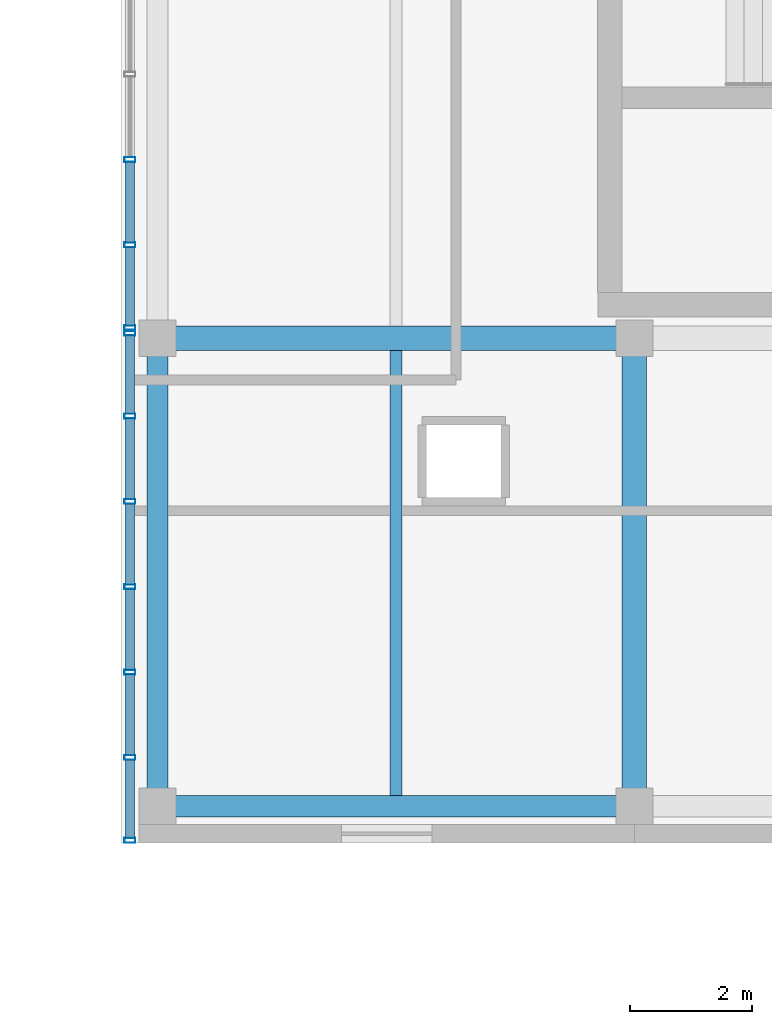
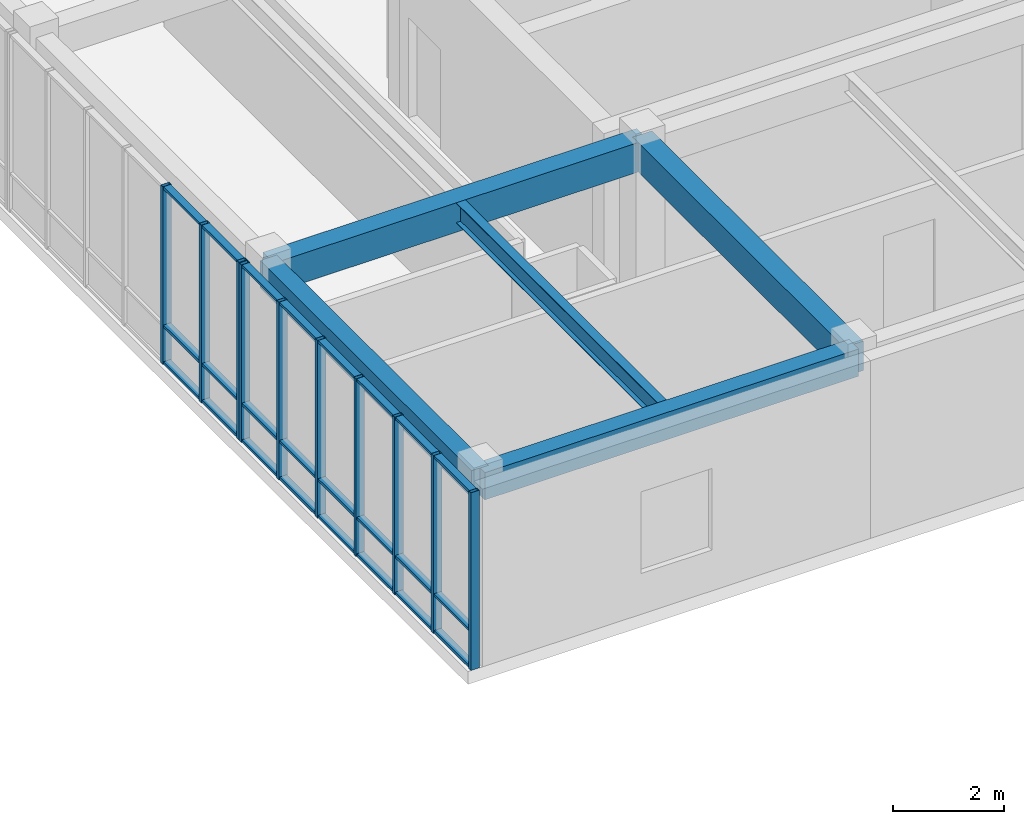
# One storey, part 27 of 123: 34 members, 5 beams, 2 elements without a shape of their own.
"""IFC4 building model written with IfcOpenShell, lengths in metres."""

from ifc_helpers import new_model, si_unit, direction, frame, origin, origin_2d, place, context, subcontext, project, spatial, rectangle, hollow_rectangle, i_section, extrude, material, layer, layer_set, material_profile, profile_set, type_object, element, aggregate, save


model = new_model("IFC4")

# Units and contexts
model_context = context("Model", 3, precision=1e-05, world=origin(), true_north=direction((0.0, 1.0)))
body_context = subcontext(model_context, "Body", "Model", "MODEL_VIEW")
ifc_project = project(units=[si_unit("LENGTHUNIT", "METRE"), si_unit("AREAUNIT", "SQUARE_METRE"), si_unit("VOLUMEUNIT", "CUBIC_METRE"), si_unit("PLANEANGLEUNIT", "RADIAN"), si_unit("MASSUNIT", "GRAM", prefix="KILO")], contexts=[model_context])

# Site, building, storey
site_placement = place(None, origin())
site = spatial("IfcSite", under=ifc_project, at=site_placement, CompositionType="ELEMENT")
building_placement = place(site_placement, origin())
building = spatial("IfcBuilding", under=site, at=building_placement, Name="Zayran Congress Hotel", CompositionType="ELEMENT")
storey_placement = place(building_placement, frame((0.0, 0.0, 15.0)))
storey = spatial("IfcBuildingStorey", under=building, at=storey_placement, Name="L03", CompositionType="ELEMENT", Elevation=15.0)

# Beams
ifc_material_1 = material(Name="Concrete C40/50", Category="concrete")
ifc_material_profile_1 = material_profile(ifc_material_1, rectangle(XDim=0.39990234375, YDim=0.64990234375, at=origin_2d()), Name="RC 400x650")
ifc_profile_set_1 = profile_set([ifc_material_profile_1], Name="Concrete C40/50")
beam_type_1 = type_object("IfcBeamType", Name="TP-BM-03", PredefinedType="BEAM", material=ifc_profile_set_1)
beam_1_placement = place(storey_placement, frame((109.800048828125, 50.800048828125, 3.594970703125), z_axis=(1.0, 0.0, 0.0), x_axis=(0.0, 1.0, 0.0)))
element("IfcBeam", 1, at=beam_1_placement, inside=storey, type_object=beam_type_1, Name="BM-V4-L03-1494", PredefinedType="BEAM", context=body_context, shape_type="SweptSolid", body=[
    extrude(rectangle(XDim=0.39990234375, YDim=0.64990234375, at=origin_2d()), origin(), (0.0, 0.0, 1.0), 7.800048828125),
])
beam_2_placement = place(storey_placement, frame((117.60009765625, 43.14990234375, 3.594970703125), z_axis=(0.0, 1.0, 0.0), x_axis=(-1.0, 0.0, 0.0)))
element("IfcBeam", 2, at=beam_2_placement, inside=storey, type_object=beam_type_1, Name="BM-V4-L03-1522", PredefinedType="BEAM", context=body_context, shape_type="SweptSolid", body=[
    extrude(rectangle(XDim=0.39990234375, YDim=0.64990234375, at=origin_2d()), origin(), (0.0, 0.0, 1.0), 7.650146484375),
])
ifc_material_profile_2 = material_profile(ifc_material_1, rectangle(XDim=0.35009765625, YDim=0.60009765625, at=origin_2d()), Name="RC 350x600")
ifc_profile_set_2 = profile_set([ifc_material_profile_2], Name="Concrete C40/50")
beam_type_2 = type_object("IfcBeamType", Name="TP-SP-01", PredefinedType="SPANDREL", material=ifc_profile_set_2)
beam_3_placement = place(storey_placement, frame((109.800048828125, 43.14990234375, 3.6201171875), z_axis=(1.0, 0.0, 0.0), x_axis=(0.0, 1.0, 0.0)))
element("IfcBeam", 3, at=beam_3_placement, inside=storey, type_object=beam_type_2, Name="BM-V4-L03-1491", PredefinedType="SPANDREL", context=body_context, shape_type="SweptSolid", body=[
    extrude(rectangle(XDim=0.35009765625, YDim=0.60009765625, at=origin_2d()), origin(), (0.0, 0.0, 1.0), 7.800048828125),
])
beam_4_placement = place(storey_placement, frame((109.800048828125, 43.14990234375, 3.6201171875), z_axis=(0.0, 1.0, 0.0), x_axis=(-1.0, 0.0, 0.0)))
element("IfcBeam", 4, at=beam_4_placement, inside=storey, type_object=beam_type_2, Name="BM-V4-L03-1515", PredefinedType="SPANDREL", context=body_context, shape_type="SweptSolid", body=[
    extrude(rectangle(XDim=0.35009765625, YDim=0.60009765625, at=origin_2d()), origin(), (0.0, 0.0, 1.0), 7.650146484375),
])
ifc_material_2 = material(Name="Steel S355", Category="steel")
ifc_material_profile_3 = material_profile(ifc_material_2, i_section(OverallWidth=0.18994140625, OverallDepth=0.449951171875, WebThickness=0.009521484375, FlangeThickness=0.0146484375, at=origin_2d()), Name="IPE 450")
ifc_profile_set_3 = profile_set([ifc_material_profile_3], Name="Steel S355")
beam_type_3 = type_object("IfcBeamType", Name="TP-JS-02", PredefinedType="JOIST", material=ifc_profile_set_3)
beam_5_placement = place(storey_placement, frame((113.699951171875, 43.324951171875, 3.695068359375), z_axis=(0.0, 1.0, 0.0), x_axis=(-1.0, 0.0, 0.0)))
element("IfcBeam", 5, at=beam_5_placement, inside=storey, type_object=beam_type_3, Name="JST-V4-L03-1541", PredefinedType="JOIST", context=body_context, shape_type="SweptSolid", body=[
    extrude(i_section(OverallWidth=0.18994140625, OverallDepth=0.449951171875, WebThickness=0.009521484375, FlangeThickness=0.0146484375, at=origin_2d()), origin(), (0.0, 0.0, 1.0), 7.275146484375),
])

# Curtain wall, members
ifc_material_3 = material(Name="Anodised aluminium and low-E insulated glass", Category="aluminium")
ifc_layer_1 = layer(ifc_material_3, 0.179931640625)
ifc_layer_set_1 = layer_set([ifc_layer_1], Name="Anodised aluminium and low-E insulated glass")
curtain_wall_type_1 = type_object("IfcCurtainWallType", Name="CW-V4W-L03-CW-51-8374-3920", PredefinedType="USERDEFINED", material=ifc_layer_set_1)
curtain_wall_1_placement = place(storey_placement, origin())
curtain_wall_1 = element("IfcCurtainWall", 6, at=curtain_wall_1_placement, inside=storey, type_object=curtain_wall_type_1, Name="CW-V4W-L03-0", ObjectType="CURTAIN WALL", PredefinedType="USERDEFINED")
ifc_material_4 = material(Name="Anodised aluminium framing", Category="aluminium")
ifc_material_profile_4 = material_profile(ifc_material_4, hollow_rectangle(XDim=0.080078125, YDim=0.179931640625, WallThickness=0.0048828125, at=origin_2d()), Name="RHS 180x80x5")
ifc_profile_set_4 = profile_set([ifc_material_profile_4], Name="Anodised aluminium framing")
member_type_1 = type_object("IfcMemberType", Name="TP-CWM-01", PredefinedType="MULLION", material=ifc_profile_set_4)
member_1_placement = place(storey_placement, frame((109.35009765625, 50.884033203125, 0.0), z_axis=(0.0, 0.0, 1.0), x_axis=(0.0, 1.0, 0.0)))
member_1 = element("IfcMember", 7, at=member_1_placement, type_object=member_type_1, Name="CW-V4W-L03-0-M00", PredefinedType="MULLION", context=body_context, shape_type="SweptSolid", body=[
    extrude(hollow_rectangle(XDim=0.080078125, YDim=0.179931640625, WallThickness=0.0048828125, at=origin_2d()), origin(), (0.0, 0.0, 1.0), 3.919921875),
])
member_2_placement = place(storey_placement, frame((109.35009765625, 49.5283203125, 0.0), z_axis=(0.0, 0.0, 1.0), x_axis=(0.0, 1.0, 0.0)))
member_2 = element("IfcMember", 8, at=member_2_placement, type_object=member_type_1, Name="CW-V4W-L03-0-M01", PredefinedType="MULLION", context=body_context, shape_type="SweptSolid", body=[
    extrude(hollow_rectangle(XDim=0.080078125, YDim=0.179931640625, WallThickness=0.0048828125, at=origin_2d()), origin(), (0.0, 0.0, 1.0), 3.919921875),
])
member_3_placement = place(storey_placement, frame((109.35009765625, 48.1328125, 0.0), z_axis=(0.0, 0.0, 1.0), x_axis=(0.0, 1.0, 0.0)))
member_3 = element("IfcMember", 9, at=member_3_placement, type_object=member_type_1, Name="CW-V4W-L03-0-M02", PredefinedType="MULLION", context=body_context, shape_type="SweptSolid", body=[
    extrude(hollow_rectangle(XDim=0.080078125, YDim=0.179931640625, WallThickness=0.0048828125, at=origin_2d()), origin(), (0.0, 0.0, 1.0), 3.919921875),
])
member_4_placement = place(storey_placement, frame((109.35009765625, 46.737060546875, 0.0), z_axis=(0.0, 0.0, 1.0), x_axis=(0.0, 1.0, 0.0)))
member_4 = element("IfcMember", 10, at=member_4_placement, type_object=member_type_1, Name="CW-V4W-L03-0-M03", PredefinedType="MULLION", context=body_context, shape_type="SweptSolid", body=[
    extrude(hollow_rectangle(XDim=0.080078125, YDim=0.179931640625, WallThickness=0.0048828125, at=origin_2d()), origin(), (0.0, 0.0, 1.0), 3.919921875),
])
member_5_placement = place(storey_placement, frame((109.35009765625, 45.34130859375, 0.0), z_axis=(0.0, 0.0, 1.0), x_axis=(0.0, 1.0, 0.0)))
member_5 = element("IfcMember", 11, at=member_5_placement, type_object=member_type_1, Name="CW-V4W-L03-0-M04", PredefinedType="MULLION", context=body_context, shape_type="SweptSolid", body=[
    extrude(hollow_rectangle(XDim=0.080078125, YDim=0.179931640625, WallThickness=0.0048828125, at=origin_2d()), origin(), (0.0, 0.0, 1.0), 3.919921875),
])
member_6_placement = place(storey_placement, frame((109.35009765625, 43.94580078125, 0.0), z_axis=(0.0, 0.0, 1.0), x_axis=(0.0, 1.0, 0.0)))
member_6 = element("IfcMember", 12, at=member_6_placement, type_object=member_type_1, Name="CW-V4W-L03-0-M05", PredefinedType="MULLION", context=body_context, shape_type="SweptSolid", body=[
    extrude(hollow_rectangle(XDim=0.080078125, YDim=0.179931640625, WallThickness=0.0048828125, at=origin_2d()), origin(), (0.0, 0.0, 1.0), 3.919921875),
])
member_7_placement = place(storey_placement, frame((109.35009765625, 42.590087890625, 0.0), z_axis=(0.0, 0.0, 1.0), x_axis=(0.0, 1.0, 0.0)))
member_7 = element("IfcMember", 13, at=member_7_placement, type_object=member_type_1, Name="CW-V4W-L03-0-M06", PredefinedType="MULLION", context=body_context, shape_type="SweptSolid", body=[
    extrude(hollow_rectangle(XDim=0.080078125, YDim=0.179931640625, WallThickness=0.0048828125, at=origin_2d()), origin(), (0.0, 0.0, 1.0), 3.919921875),
])

ifc_layer_2 = layer(ifc_material_3, 0.179931640625)
ifc_layer_set_2 = layer_set([ifc_layer_2], Name="Anodised aluminium and low-E insulated glass")
curtain_wall_type_2 = type_object("IfcCurtainWallType", Name="CW-V4W-L03-CW-52-8368-3920", PredefinedType="USERDEFINED", material=ifc_layer_set_2)
curtain_wall_2_placement = place(storey_placement, origin())
curtain_wall_2 = element("IfcCurtainWall", 14, at=curtain_wall_2_placement, inside=storey, type_object=curtain_wall_type_2, Name="CW-V4W-L03-1", ObjectType="CURTAIN WALL", PredefinedType="USERDEFINED")
member_8_placement = place(storey_placement, frame((109.35009765625, 53.723388671875, 0.0), z_axis=(0.0, 0.0, 1.0), x_axis=(0.0, 1.0, 0.0)))
member_8 = element("IfcMember", 15, at=member_8_placement, type_object=member_type_1, Name="CW-V4W-L03-1-M04", PredefinedType="MULLION", context=body_context, shape_type="SweptSolid", body=[
    extrude(hollow_rectangle(XDim=0.080078125, YDim=0.179931640625, WallThickness=0.0048828125, at=origin_2d()), origin(), (0.0, 0.0, 1.0), 3.919921875),
])
member_9_placement = place(storey_placement, frame((109.35009765625, 52.32861328125, 0.0), z_axis=(0.0, 0.0, 1.0), x_axis=(0.0, 1.0, 0.0)))
member_9 = element("IfcMember", 16, at=member_9_placement, type_object=member_type_1, Name="CW-V4W-L03-1-M05", PredefinedType="MULLION", context=body_context, shape_type="SweptSolid", body=[
    extrude(hollow_rectangle(XDim=0.080078125, YDim=0.179931640625, WallThickness=0.0048828125, at=origin_2d()), origin(), (0.0, 0.0, 1.0), 3.919921875),
])
member_10_placement = place(storey_placement, frame((109.35009765625, 50.97412109375, 0.0), z_axis=(0.0, 0.0, 1.0), x_axis=(0.0, 1.0, 0.0)))
member_10 = element("IfcMember", 17, at=member_10_placement, type_object=member_type_1, Name="CW-V4W-L03-1-M06", PredefinedType="MULLION", context=body_context, shape_type="SweptSolid", body=[
    extrude(hollow_rectangle(XDim=0.080078125, YDim=0.179931640625, WallThickness=0.0048828125, at=origin_2d()), origin(), (0.0, 0.0, 1.0), 3.919921875),
])

# Member
ifc_material_profile_5 = material_profile(ifc_material_4, hollow_rectangle(XDim=0.06005859375, YDim=0.14990234375, WallThickness=0.00390625, at=origin_2d()), Name="RHS 150x60x4")
ifc_profile_set_5 = profile_set([ifc_material_profile_5], Name="Anodised aluminium framing")
member_type_2 = type_object("IfcMemberType", Name="TP-CWT-01", PredefinedType="USERDEFINED", material=ifc_profile_set_5)
member_11_placement = place(storey_placement, frame((109.35009765625, 50.843994140625, 0.030029296875), z_axis=(0.0, -1.0, 0.0), x_axis=(0.0, 0.0, 1.0)))
member_11 = element("IfcMember", 18, at=member_11_placement, type_object=member_type_2, Name="CW-V4W-L03-0-T00-0", ObjectType="TRANSOM", PredefinedType="USERDEFINED", context=body_context, shape_type="SweptSolid", body=[
    extrude(hollow_rectangle(XDim=0.06005859375, YDim=0.14990234375, WallThickness=0.00390625, at=origin_2d()), origin(), (0.0, 0.0, 1.0), 1.275634765625),
])

member_12_placement = place(storey_placement, frame((109.35009765625, 50.843994140625, 0.840087890625), z_axis=(0.0, -1.0, 0.0), x_axis=(0.0, 0.0, 1.0)))
member_12 = element("IfcMember", 19, at=member_12_placement, type_object=member_type_2, Name="CW-V4W-L03-0-T00-1", ObjectType="TRANSOM", PredefinedType="USERDEFINED", context=body_context, shape_type="SweptSolid", body=[
    extrude(hollow_rectangle(XDim=0.06005859375, YDim=0.14990234375, WallThickness=0.00390625, at=origin_2d()), origin(), (0.0, 0.0, 1.0), 1.275634765625),
])

member_13_placement = place(storey_placement, frame((109.35009765625, 50.843994140625, 3.889892578125), z_axis=(0.0, -1.0, 0.0), x_axis=(0.0, 0.0, 1.0)))
member_13 = element("IfcMember", 20, at=member_13_placement, type_object=member_type_2, Name="CW-V4W-L03-0-T00-2", ObjectType="TRANSOM", PredefinedType="USERDEFINED", context=body_context, shape_type="SweptSolid", body=[
    extrude(hollow_rectangle(XDim=0.06005859375, YDim=0.14990234375, WallThickness=0.00390625, at=origin_2d()), origin(), (0.0, 0.0, 1.0), 1.275634765625),
])

member_14_placement = place(storey_placement, frame((109.35009765625, 49.48828125, 0.030029296875), z_axis=(0.0, -1.0, 0.0), x_axis=(0.0, 0.0, 1.0)))
member_14 = element("IfcMember", 21, at=member_14_placement, type_object=member_type_2, Name="CW-V4W-L03-0-T01-0", ObjectType="TRANSOM", PredefinedType="USERDEFINED", context=body_context, shape_type="SweptSolid", body=[
    extrude(hollow_rectangle(XDim=0.06005859375, YDim=0.14990234375, WallThickness=0.00390625, at=origin_2d()), origin(), (0.0, 0.0, 1.0), 1.315673828125),
])

member_15_placement = place(storey_placement, frame((109.35009765625, 49.48828125, 0.840087890625), z_axis=(0.0, -1.0, 0.0), x_axis=(0.0, 0.0, 1.0)))
member_15 = element("IfcMember", 22, at=member_15_placement, type_object=member_type_2, Name="CW-V4W-L03-0-T01-1", ObjectType="TRANSOM", PredefinedType="USERDEFINED", context=body_context, shape_type="SweptSolid", body=[
    extrude(hollow_rectangle(XDim=0.06005859375, YDim=0.14990234375, WallThickness=0.00390625, at=origin_2d()), origin(), (0.0, 0.0, 1.0), 1.315673828125),
])

member_16_placement = place(storey_placement, frame((109.35009765625, 49.48828125, 3.889892578125), z_axis=(0.0, -1.0, 0.0), x_axis=(0.0, 0.0, 1.0)))
member_16 = element("IfcMember", 23, at=member_16_placement, type_object=member_type_2, Name="CW-V4W-L03-0-T01-2", ObjectType="TRANSOM", PredefinedType="USERDEFINED", context=body_context, shape_type="SweptSolid", body=[
    extrude(hollow_rectangle(XDim=0.06005859375, YDim=0.14990234375, WallThickness=0.00390625, at=origin_2d()), origin(), (0.0, 0.0, 1.0), 1.315673828125),
])

member_17_placement = place(storey_placement, frame((109.35009765625, 48.0927734375, 0.030029296875), z_axis=(0.0, -1.0, 0.0), x_axis=(0.0, 0.0, 1.0)))
member_17 = element("IfcMember", 24, at=member_17_placement, type_object=member_type_2, Name="CW-V4W-L03-0-T02-0", ObjectType="TRANSOM", PredefinedType="USERDEFINED", context=body_context, shape_type="SweptSolid", body=[
    extrude(hollow_rectangle(XDim=0.06005859375, YDim=0.14990234375, WallThickness=0.00390625, at=origin_2d()), origin(), (0.0, 0.0, 1.0), 1.315673828125),
])

member_18_placement = place(storey_placement, frame((109.35009765625, 48.0927734375, 0.840087890625), z_axis=(0.0, -1.0, 0.0), x_axis=(0.0, 0.0, 1.0)))
member_18 = element("IfcMember", 25, at=member_18_placement, type_object=member_type_2, Name="CW-V4W-L03-0-T02-1", ObjectType="TRANSOM", PredefinedType="USERDEFINED", context=body_context, shape_type="SweptSolid", body=[
    extrude(hollow_rectangle(XDim=0.06005859375, YDim=0.14990234375, WallThickness=0.00390625, at=origin_2d()), origin(), (0.0, 0.0, 1.0), 1.315673828125),
])

member_19_placement = place(storey_placement, frame((109.35009765625, 48.0927734375, 3.889892578125), z_axis=(0.0, -1.0, 0.0), x_axis=(0.0, 0.0, 1.0)))
member_19 = element("IfcMember", 26, at=member_19_placement, type_object=member_type_2, Name="CW-V4W-L03-0-T02-2", ObjectType="TRANSOM", PredefinedType="USERDEFINED", context=body_context, shape_type="SweptSolid", body=[
    extrude(hollow_rectangle(XDim=0.06005859375, YDim=0.14990234375, WallThickness=0.00390625, at=origin_2d()), origin(), (0.0, 0.0, 1.0), 1.315673828125),
])

member_20_placement = place(storey_placement, frame((109.35009765625, 46.697021484375, 0.030029296875), z_axis=(0.0, -1.0, 0.0), x_axis=(0.0, 0.0, 1.0)))
member_20 = element("IfcMember", 27, at=member_20_placement, type_object=member_type_2, Name="CW-V4W-L03-0-T03-0", ObjectType="TRANSOM", PredefinedType="USERDEFINED", context=body_context, shape_type="SweptSolid", body=[
    extrude(hollow_rectangle(XDim=0.06005859375, YDim=0.14990234375, WallThickness=0.00390625, at=origin_2d()), origin(), (0.0, 0.0, 1.0), 1.315673828125),
])

member_21_placement = place(storey_placement, frame((109.35009765625, 46.697021484375, 0.840087890625), z_axis=(0.0, -1.0, 0.0), x_axis=(0.0, 0.0, 1.0)))
member_21 = element("IfcMember", 28, at=member_21_placement, type_object=member_type_2, Name="CW-V4W-L03-0-T03-1", ObjectType="TRANSOM", PredefinedType="USERDEFINED", context=body_context, shape_type="SweptSolid", body=[
    extrude(hollow_rectangle(XDim=0.06005859375, YDim=0.14990234375, WallThickness=0.00390625, at=origin_2d()), origin(), (0.0, 0.0, 1.0), 1.315673828125),
])

member_22_placement = place(storey_placement, frame((109.35009765625, 46.697021484375, 3.889892578125), z_axis=(0.0, -1.0, 0.0), x_axis=(0.0, 0.0, 1.0)))
member_22 = element("IfcMember", 29, at=member_22_placement, type_object=member_type_2, Name="CW-V4W-L03-0-T03-2", ObjectType="TRANSOM", PredefinedType="USERDEFINED", context=body_context, shape_type="SweptSolid", body=[
    extrude(hollow_rectangle(XDim=0.06005859375, YDim=0.14990234375, WallThickness=0.00390625, at=origin_2d()), origin(), (0.0, 0.0, 1.0), 1.315673828125),
])

member_23_placement = place(storey_placement, frame((109.35009765625, 45.30126953125, 0.030029296875), z_axis=(0.0, -1.0, 0.0), x_axis=(0.0, 0.0, 1.0)))
member_23 = element("IfcMember", 30, at=member_23_placement, type_object=member_type_2, Name="CW-V4W-L03-0-T04-0", ObjectType="TRANSOM", PredefinedType="USERDEFINED", context=body_context, shape_type="SweptSolid", body=[
    extrude(hollow_rectangle(XDim=0.06005859375, YDim=0.14990234375, WallThickness=0.00390625, at=origin_2d()), origin(), (0.0, 0.0, 1.0), 1.315673828125),
])

member_24_placement = place(storey_placement, frame((109.35009765625, 45.30126953125, 0.840087890625), z_axis=(0.0, -1.0, 0.0), x_axis=(0.0, 0.0, 1.0)))
member_24 = element("IfcMember", 31, at=member_24_placement, type_object=member_type_2, Name="CW-V4W-L03-0-T04-1", ObjectType="TRANSOM", PredefinedType="USERDEFINED", context=body_context, shape_type="SweptSolid", body=[
    extrude(hollow_rectangle(XDim=0.06005859375, YDim=0.14990234375, WallThickness=0.00390625, at=origin_2d()), origin(), (0.0, 0.0, 1.0), 1.315673828125),
])

member_25_placement = place(storey_placement, frame((109.35009765625, 45.30126953125, 3.889892578125), z_axis=(0.0, -1.0, 0.0), x_axis=(0.0, 0.0, 1.0)))
member_25 = element("IfcMember", 32, at=member_25_placement, type_object=member_type_2, Name="CW-V4W-L03-0-T04-2", ObjectType="TRANSOM", PredefinedType="USERDEFINED", context=body_context, shape_type="SweptSolid", body=[
    extrude(hollow_rectangle(XDim=0.06005859375, YDim=0.14990234375, WallThickness=0.00390625, at=origin_2d()), origin(), (0.0, 0.0, 1.0), 1.315673828125),
])

member_26_placement = place(storey_placement, frame((109.35009765625, 43.90576171875, 0.030029296875), z_axis=(0.0, -1.0, 0.0), x_axis=(0.0, 0.0, 1.0)))
member_26 = element("IfcMember", 33, at=member_26_placement, type_object=member_type_2, Name="CW-V4W-L03-0-T05-0", ObjectType="TRANSOM", PredefinedType="USERDEFINED", context=body_context, shape_type="SweptSolid", body=[
    extrude(hollow_rectangle(XDim=0.06005859375, YDim=0.14990234375, WallThickness=0.00390625, at=origin_2d()), origin(), (0.0, 0.0, 1.0), 1.27587890625),
])

member_27_placement = place(storey_placement, frame((109.35009765625, 43.90576171875, 0.840087890625), z_axis=(0.0, -1.0, 0.0), x_axis=(0.0, 0.0, 1.0)))
member_27 = element("IfcMember", 34, at=member_27_placement, type_object=member_type_2, Name="CW-V4W-L03-0-T05-1", ObjectType="TRANSOM", PredefinedType="USERDEFINED", context=body_context, shape_type="SweptSolid", body=[
    extrude(hollow_rectangle(XDim=0.06005859375, YDim=0.14990234375, WallThickness=0.00390625, at=origin_2d()), origin(), (0.0, 0.0, 1.0), 1.27587890625),
])

member_28_placement = place(storey_placement, frame((109.35009765625, 43.90576171875, 3.889892578125), z_axis=(0.0, -1.0, 0.0), x_axis=(0.0, 0.0, 1.0)))
member_28 = element("IfcMember", 35, at=member_28_placement, type_object=member_type_2, Name="CW-V4W-L03-0-T05-2", ObjectType="TRANSOM", PredefinedType="USERDEFINED", context=body_context, shape_type="SweptSolid", body=[
    extrude(hollow_rectangle(XDim=0.06005859375, YDim=0.14990234375, WallThickness=0.00390625, at=origin_2d()), origin(), (0.0, 0.0, 1.0), 1.27587890625),
])

aggregate(curtain_wall_1, [member_1, member_2, member_3, member_4, member_5, member_6, member_7, member_11, member_12, member_13, member_14, member_15, member_16, member_17, member_18, member_19, member_20, member_21, member_22, member_23, member_24, member_25, member_26, member_27, member_28])

member_29_placement = place(storey_placement, frame((109.35009765625, 53.683349609375, 0.030029296875), z_axis=(0.0, -1.0, 0.0), x_axis=(0.0, 0.0, 1.0)))
member_29 = element("IfcMember", 36, at=member_29_placement, type_object=member_type_2, Name="CW-V4W-L03-1-T04-0", ObjectType="TRANSOM", PredefinedType="USERDEFINED", context=body_context, shape_type="SweptSolid", body=[
    extrude(hollow_rectangle(XDim=0.06005859375, YDim=0.14990234375, WallThickness=0.00390625, at=origin_2d()), origin(), (0.0, 0.0, 1.0), 1.314697265625),
])

member_30_placement = place(storey_placement, frame((109.35009765625, 53.683349609375, 0.840087890625), z_axis=(0.0, -1.0, 0.0), x_axis=(0.0, 0.0, 1.0)))
member_30 = element("IfcMember", 37, at=member_30_placement, type_object=member_type_2, Name="CW-V4W-L03-1-T04-1", ObjectType="TRANSOM", PredefinedType="USERDEFINED", context=body_context, shape_type="SweptSolid", body=[
    extrude(hollow_rectangle(XDim=0.06005859375, YDim=0.14990234375, WallThickness=0.00390625, at=origin_2d()), origin(), (0.0, 0.0, 1.0), 1.314697265625),
])

member_31_placement = place(storey_placement, frame((109.35009765625, 53.683349609375, 3.889892578125), z_axis=(0.0, -1.0, 0.0), x_axis=(0.0, 0.0, 1.0)))
member_31 = element("IfcMember", 38, at=member_31_placement, type_object=member_type_2, Name="CW-V4W-L03-1-T04-2", ObjectType="TRANSOM", PredefinedType="USERDEFINED", context=body_context, shape_type="SweptSolid", body=[
    extrude(hollow_rectangle(XDim=0.06005859375, YDim=0.14990234375, WallThickness=0.00390625, at=origin_2d()), origin(), (0.0, 0.0, 1.0), 1.314697265625),
])

member_32_placement = place(storey_placement, frame((109.35009765625, 52.288818359375, 0.030029296875), z_axis=(0.0, -1.0, 0.0), x_axis=(0.0, 0.0, 1.0)))
member_32 = element("IfcMember", 39, at=member_32_placement, type_object=member_type_2, Name="CW-V4W-L03-1-T05-0", ObjectType="TRANSOM", PredefinedType="USERDEFINED", context=body_context, shape_type="SweptSolid", body=[
    extrude(hollow_rectangle(XDim=0.06005859375, YDim=0.14990234375, WallThickness=0.00390625, at=origin_2d()), origin(), (0.0, 0.0, 1.0), 1.27490234375),
])

member_33_placement = place(storey_placement, frame((109.35009765625, 52.288818359375, 0.840087890625), z_axis=(0.0, -1.0, 0.0), x_axis=(0.0, 0.0, 1.0)))
member_33 = element("IfcMember", 40, at=member_33_placement, type_object=member_type_2, Name="CW-V4W-L03-1-T05-1", ObjectType="TRANSOM", PredefinedType="USERDEFINED", context=body_context, shape_type="SweptSolid", body=[
    extrude(hollow_rectangle(XDim=0.06005859375, YDim=0.14990234375, WallThickness=0.00390625, at=origin_2d()), origin(), (0.0, 0.0, 1.0), 1.27490234375),
])

member_34_placement = place(storey_placement, frame((109.35009765625, 52.288818359375, 3.889892578125), z_axis=(0.0, -1.0, 0.0), x_axis=(0.0, 0.0, 1.0)))
member_34 = element("IfcMember", 41, at=member_34_placement, type_object=member_type_2, Name="CW-V4W-L03-1-T05-2", ObjectType="TRANSOM", PredefinedType="USERDEFINED", context=body_context, shape_type="SweptSolid", body=[
    extrude(hollow_rectangle(XDim=0.06005859375, YDim=0.14990234375, WallThickness=0.00390625, at=origin_2d()), origin(), (0.0, 0.0, 1.0), 1.27490234375),
])

aggregate(curtain_wall_2, [member_8, member_9, member_10, member_29, member_30, member_31, member_32, member_33, member_34])

save(model, "model.ifc")
